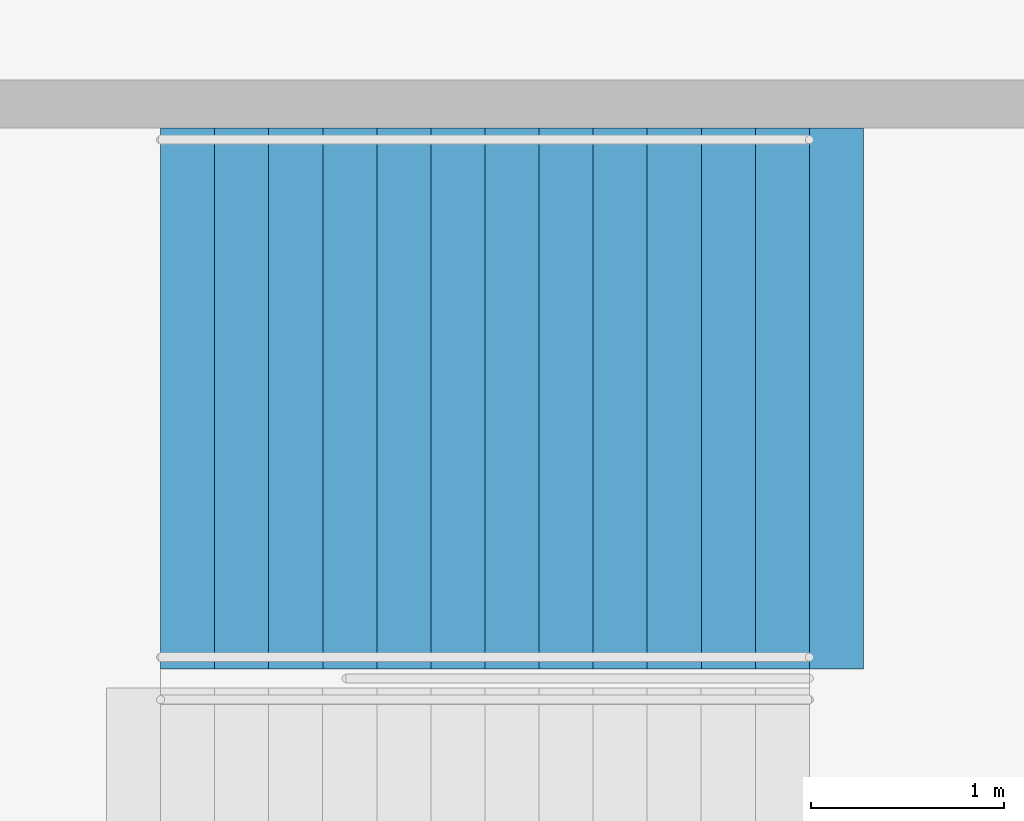
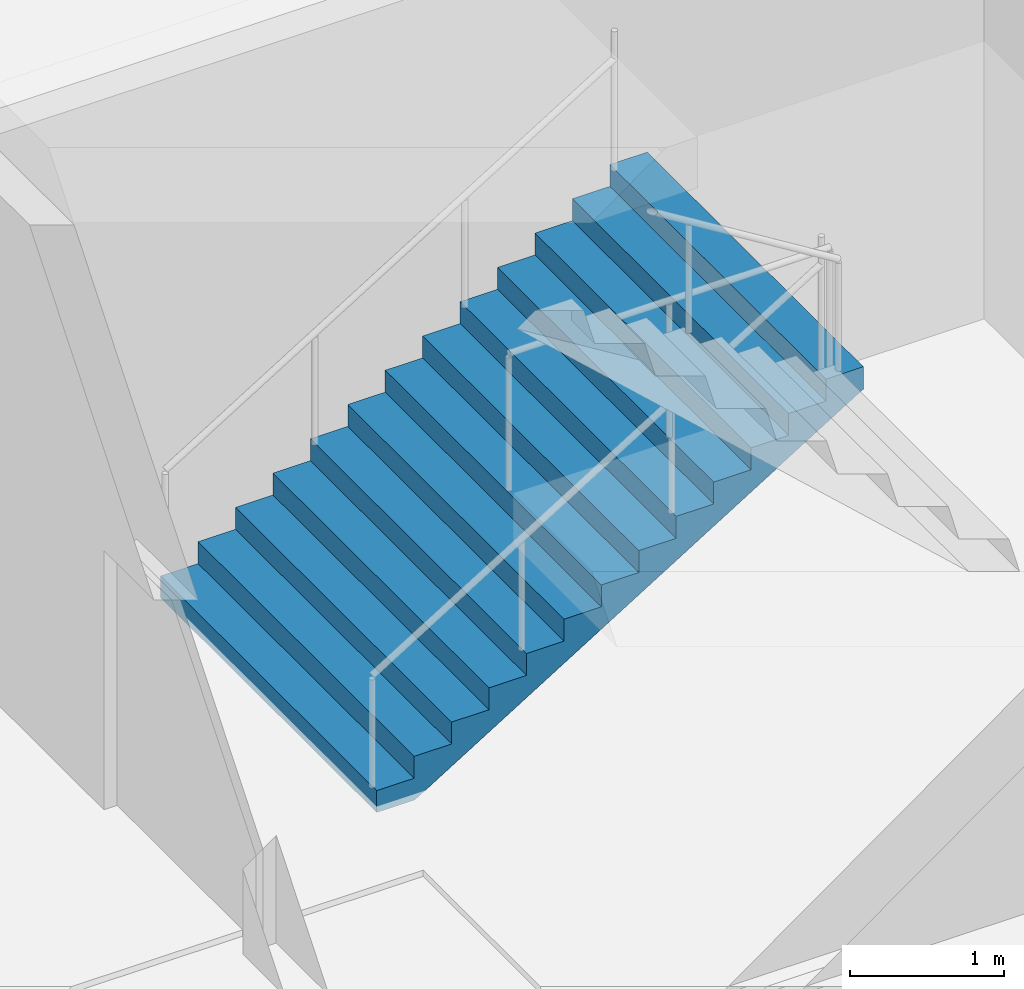
# One storey, part 83 of 115: 1 stair flight, 1 element without a shape of its own.
"""IFC4 building model written with IfcOpenShell, lengths in metres."""

from ifc_helpers import new_model, si_unit, direction, frame, origin, place, context, subcontext, project, spatial, faceted_brep, material, type_object, element, aggregate, save


model = new_model("IFC4")

# Units and contexts
model_context = context("Model", 3, precision=1e-05, world=origin(), true_north=direction((0.0, 1.0)))
body_context = subcontext(model_context, "Body", "Model", "MODEL_VIEW")
ifc_project = project(units=[si_unit("LENGTHUNIT", "METRE"), si_unit("AREAUNIT", "SQUARE_METRE"), si_unit("VOLUMEUNIT", "CUBIC_METRE"), si_unit("PLANEANGLEUNIT", "RADIAN"), si_unit("MASSUNIT", "GRAM", prefix="KILO")], contexts=[model_context])

# Site, building, storey
site_placement = place(None, origin())
site = spatial("IfcSite", under=ifc_project, at=site_placement, CompositionType="ELEMENT")
building_placement = place(site_placement, origin())
building = spatial("IfcBuilding", under=site, at=building_placement, Name="Ogive Plaza Stadium", CompositionType="ELEMENT")
storey_placement = place(building_placement, frame((0.0, 0.0, -4.5)))
storey = spatial("IfcBuildingStorey", under=building, at=storey_placement, Name="B1", CompositionType="ELEMENT", Elevation=-4.5)

# Stair, stair flight
ifc_material_1 = material(Name="Concrete C40/50", Category="concrete")
stair_type = type_object("IfcStairType", Name="Exit stair", PredefinedType="STRAIGHT_RUN_STAIR", material=ifc_material_1)
stair_placement = place(storey_placement, origin())
stair = element("IfcStair", 1, at=stair_placement, inside=storey, type_object=stair_type, Name="Exit stair ST06B B1 to L00", PredefinedType="STRAIGHT_RUN_STAIR")
ifc_material_2 = material(Name="Concrete C40/50", Category="concrete")
stair_flight_type = type_object("IfcStairFlightType", Name="Exit stair flight", PredefinedType="STRAIGHT", material=ifc_material_2)
stair_flight_placement = place(storey_placement, frame((76.35009765625, -18.074951171875, 0.0), z_axis=(0.0, 0.0, 1.0), x_axis=(1.0, 0.0, 0.0)))
stair_flight = element("IfcStairFlight", 2, at=stair_flight_placement, type_object=stair_flight_type, Name="ST06B flight 1", NumberOfRisers=13, NumberOfTreads=12, PredefinedType="STRAIGHT", RiserHeight=0.173076923, TreadLength=0.28, context=body_context, shape_type="Brep", body=[
    faceted_brep([(0.28515625, -1.39990234375, 0.0), (3.639892578125, -1.39990234375, 2.07373046875), (3.639892578125, -1.39990234375, 2.25), (3.360107421875, -1.39990234375, 2.25), (3.360107421875, -1.39990234375, 2.076904296875), (3.080078125, -1.39990234375, 2.076904296875), (3.080078125, -1.39990234375, 1.90380859375), (2.800048828125, -1.39990234375, 1.90380859375), (2.800048828125, -1.39990234375, 1.730712890625), (2.52001953125, -1.39990234375, 1.730712890625), (2.52001953125, -1.39990234375, 1.5576171875), (2.239990234375, -1.39990234375, 1.5576171875), (2.239990234375, -1.39990234375, 1.384521484375), (1.9599609375, -1.39990234375, 1.384521484375), (1.9599609375, -1.39990234375, 1.21142578125), (1.679931640625, -1.39990234375, 1.21142578125), (1.679931640625, -1.39990234375, 1.03857421875), (1.39990234375, -1.39990234375, 1.03857421875), (1.39990234375, -1.39990234375, 0.865478515625), (1.1201171875, -1.39990234375, 0.865478515625), (1.1201171875, -1.39990234375, 0.6923828125), (0.840087890625, -1.39990234375, 0.6923828125), (0.840087890625, -1.39990234375, 0.519287109375), (0.56005859375, -1.39990234375, 0.519287109375), (0.56005859375, -1.39990234375, 0.34619140625), (0.280029296875, -1.39990234375, 0.34619140625), (0.280029296875, -1.39990234375, 0.173095703125), (0.0, -1.39990234375, 0.173095703125), (0.0, -1.39990234375, 0.0), (0.0, 1.39990234375, 0.0), (0.0, 1.39990234375, 0.173095703125), (0.280029296875, 1.39990234375, 0.173095703125), (0.280029296875, 1.39990234375, 0.34619140625), (0.56005859375, 1.39990234375, 0.34619140625), (0.56005859375, 1.39990234375, 0.519287109375), (0.840087890625, 1.39990234375, 0.519287109375), (0.840087890625, 1.39990234375, 0.6923828125), (1.1201171875, 1.39990234375, 0.6923828125), (1.1201171875, 1.39990234375, 0.865478515625), (1.39990234375, 1.39990234375, 0.865478515625), (1.39990234375, 1.39990234375, 1.03857421875), (1.679931640625, 1.39990234375, 1.03857421875), (1.679931640625, 1.39990234375, 1.21142578125), (1.9599609375, 1.39990234375, 1.21142578125), (1.9599609375, 1.39990234375, 1.384521484375), (2.239990234375, 1.39990234375, 1.384521484375), (2.239990234375, 1.39990234375, 1.5576171875), (2.52001953125, 1.39990234375, 1.5576171875), (2.52001953125, 1.39990234375, 1.730712890625), (2.800048828125, 1.39990234375, 1.730712890625), (2.800048828125, 1.39990234375, 1.90380859375), (3.080078125, 1.39990234375, 1.90380859375), (3.080078125, 1.39990234375, 2.076904296875), (3.360107421875, 1.39990234375, 2.076904296875), (3.360107421875, 1.39990234375, 2.25), (3.639892578125, 1.39990234375, 2.25), (3.639892578125, 1.39990234375, 2.07373046875), (0.28515625, 1.39990234375, 0.0), (0.28515625, -1.0888671875, 0.0), (3.639892578125, -1.0888671875, 2.07373046875), (0.28515625, -0.77783203125, 0.0), (3.639892578125, -0.77783203125, 2.07373046875), (0.28515625, -0.466796875, 0.0), (3.639892578125, -0.466796875, 2.07373046875), (0.28515625, -0.155517578125, 0.0), (3.639892578125, -0.155517578125, 2.07373046875), (0.28515625, 0.155517578125, 0.0), (3.639892578125, 0.155517578125, 2.07373046875), (0.28515625, 0.466796875, 0.0), (3.639892578125, 0.466796875, 2.07373046875), (0.28515625, 0.77783203125, 0.0), (3.639892578125, 0.77783203125, 2.07373046875), (0.28515625, 1.0888671875, 0.0), (3.639892578125, 1.0888671875, 2.07373046875), (3.639892578125, -1.0888671875, 2.25), (3.639892578125, -0.77783203125, 2.25), (3.639892578125, -0.466796875, 2.25), (3.639892578125, -0.155517578125, 2.25), (3.639892578125, 0.155517578125, 2.25), (3.639892578125, 0.466796875, 2.25), (3.639892578125, 0.77783203125, 2.25), (3.639892578125, 1.0888671875, 2.25), (3.360107421875, -1.0888671875, 2.25), (3.360107421875, -0.77783203125, 2.25), (3.360107421875, -0.466796875, 2.25), (3.360107421875, -0.155517578125, 2.25), (3.360107421875, 0.155517578125, 2.25), (3.360107421875, 0.466796875, 2.25), (3.360107421875, 0.77783203125, 2.25), (3.360107421875, 1.0888671875, 2.25), (3.360107421875, -1.0888671875, 2.076904296875), (3.360107421875, -0.77783203125, 2.076904296875), (3.360107421875, -0.466796875, 2.076904296875), (3.360107421875, -0.155517578125, 2.076904296875), (3.360107421875, 0.155517578125, 2.076904296875), (3.360107421875, 0.466796875, 2.076904296875), (3.360107421875, 0.77783203125, 2.076904296875), (3.360107421875, 1.0888671875, 2.076904296875), (3.080078125, -1.0888671875, 2.076904296875), (3.080078125, -0.77783203125, 2.076904296875), (3.080078125, -0.466796875, 2.076904296875), (3.080078125, -0.155517578125, 2.076904296875), (3.080078125, 0.155517578125, 2.076904296875), (3.080078125, 0.466796875, 2.076904296875), (3.080078125, 0.77783203125, 2.076904296875), (3.080078125, 1.0888671875, 2.076904296875), (3.080078125, -1.0888671875, 1.90380859375), (3.080078125, -0.77783203125, 1.90380859375), (3.080078125, -0.466796875, 1.90380859375), (3.080078125, -0.155517578125, 1.90380859375), (3.080078125, 0.155517578125, 1.90380859375), (3.080078125, 0.466796875, 1.90380859375), (3.080078125, 0.77783203125, 1.90380859375), (3.080078125, 1.0888671875, 1.90380859375), (2.800048828125, -1.0888671875, 1.90380859375), (2.800048828125, -0.77783203125, 1.90380859375), (2.800048828125, -0.466796875, 1.90380859375), (2.800048828125, -0.155517578125, 1.90380859375), (2.800048828125, 0.155517578125, 1.90380859375), (2.800048828125, 0.466796875, 1.90380859375), (2.800048828125, 0.77783203125, 1.90380859375), (2.800048828125, 1.0888671875, 1.90380859375), (2.800048828125, -1.0888671875, 1.730712890625), (2.800048828125, -0.77783203125, 1.730712890625), (2.800048828125, -0.466796875, 1.730712890625), (2.800048828125, -0.155517578125, 1.730712890625), (2.800048828125, 0.155517578125, 1.730712890625), (2.800048828125, 0.466796875, 1.730712890625), (2.800048828125, 0.77783203125, 1.730712890625), (2.800048828125, 1.0888671875, 1.730712890625), (2.52001953125, -1.0888671875, 1.730712890625), (2.52001953125, -0.77783203125, 1.730712890625), (2.52001953125, -0.466796875, 1.730712890625), (2.52001953125, -0.155517578125, 1.730712890625), (2.52001953125, 0.155517578125, 1.730712890625), (2.52001953125, 0.466796875, 1.730712890625), (2.52001953125, 0.77783203125, 1.730712890625), (2.52001953125, 1.0888671875, 1.730712890625), (2.52001953125, -1.0888671875, 1.5576171875), (2.52001953125, -0.77783203125, 1.5576171875), (2.52001953125, -0.466796875, 1.5576171875), (2.52001953125, -0.155517578125, 1.5576171875), (2.52001953125, 0.155517578125, 1.5576171875), (2.52001953125, 0.466796875, 1.5576171875), (2.52001953125, 0.77783203125, 1.5576171875), (2.52001953125, 1.0888671875, 1.5576171875), (2.239990234375, -1.0888671875, 1.5576171875), (2.239990234375, -0.77783203125, 1.5576171875), (2.239990234375, -0.466796875, 1.5576171875), (2.239990234375, -0.155517578125, 1.5576171875), (2.239990234375, 0.155517578125, 1.5576171875), (2.239990234375, 0.466796875, 1.5576171875), (2.239990234375, 0.77783203125, 1.5576171875), (2.239990234375, 1.0888671875, 1.5576171875), (2.239990234375, -1.0888671875, 1.384521484375), (2.239990234375, -0.77783203125, 1.384521484375), (2.239990234375, -0.466796875, 1.384521484375), (2.239990234375, -0.155517578125, 1.384521484375), (2.239990234375, 0.155517578125, 1.384521484375), (2.239990234375, 0.466796875, 1.384521484375), (2.239990234375, 0.77783203125, 1.384521484375), (2.239990234375, 1.0888671875, 1.384521484375), (1.9599609375, -1.0888671875, 1.384521484375), (1.9599609375, -0.77783203125, 1.384521484375), (1.9599609375, -0.466796875, 1.384521484375), (1.9599609375, -0.155517578125, 1.384521484375), (1.9599609375, 0.155517578125, 1.384521484375), (1.9599609375, 0.466796875, 1.384521484375), (1.9599609375, 0.77783203125, 1.384521484375), (1.9599609375, 1.0888671875, 1.384521484375), (1.9599609375, -1.0888671875, 1.21142578125), (1.9599609375, -0.77783203125, 1.21142578125), (1.9599609375, -0.466796875, 1.21142578125), (1.9599609375, -0.155517578125, 1.21142578125), (1.9599609375, 0.155517578125, 1.21142578125), (1.9599609375, 0.466796875, 1.21142578125), (1.9599609375, 0.77783203125, 1.21142578125), (1.9599609375, 1.0888671875, 1.21142578125), (1.679931640625, -1.0888671875, 1.21142578125), (1.679931640625, -0.77783203125, 1.21142578125), (1.679931640625, -0.466796875, 1.21142578125), (1.679931640625, -0.155517578125, 1.21142578125), (1.679931640625, 0.155517578125, 1.21142578125), (1.679931640625, 0.466796875, 1.21142578125), (1.679931640625, 0.77783203125, 1.21142578125), (1.679931640625, 1.0888671875, 1.21142578125), (1.679931640625, -1.0888671875, 1.03857421875), (1.679931640625, -0.77783203125, 1.03857421875), (1.679931640625, -0.466796875, 1.03857421875), (1.679931640625, -0.155517578125, 1.03857421875), (1.679931640625, 0.155517578125, 1.03857421875), (1.679931640625, 0.466796875, 1.03857421875), (1.679931640625, 0.77783203125, 1.03857421875), (1.679931640625, 1.0888671875, 1.03857421875), (1.39990234375, -1.0888671875, 1.03857421875), (1.39990234375, -0.77783203125, 1.03857421875), (1.39990234375, -0.466796875, 1.03857421875), (1.39990234375, -0.155517578125, 1.03857421875), (1.39990234375, 0.155517578125, 1.03857421875), (1.39990234375, 0.466796875, 1.03857421875), (1.39990234375, 0.77783203125, 1.03857421875), (1.39990234375, 1.0888671875, 1.03857421875), (1.39990234375, -1.0888671875, 0.865478515625), (1.39990234375, -0.77783203125, 0.865478515625), (1.39990234375, -0.466796875, 0.865478515625), (1.39990234375, -0.155517578125, 0.865478515625), (1.39990234375, 0.155517578125, 0.865478515625), (1.39990234375, 0.466796875, 0.865478515625), (1.39990234375, 0.77783203125, 0.865478515625), (1.39990234375, 1.0888671875, 0.865478515625), (1.1201171875, -1.0888671875, 0.865478515625), (1.1201171875, -0.77783203125, 0.865478515625), (1.1201171875, -0.466796875, 0.865478515625), (1.1201171875, -0.155517578125, 0.865478515625), (1.1201171875, 0.155517578125, 0.865478515625), (1.1201171875, 0.466796875, 0.865478515625), (1.1201171875, 0.77783203125, 0.865478515625), (1.1201171875, 1.0888671875, 0.865478515625), (1.1201171875, -1.0888671875, 0.6923828125), (1.1201171875, -0.77783203125, 0.6923828125), (1.1201171875, -0.466796875, 0.6923828125), (1.1201171875, -0.155517578125, 0.6923828125), (1.1201171875, 0.155517578125, 0.6923828125), (1.1201171875, 0.466796875, 0.6923828125), (1.1201171875, 0.77783203125, 0.6923828125), (1.1201171875, 1.0888671875, 0.6923828125), (0.840087890625, -1.0888671875, 0.6923828125), (0.840087890625, -0.77783203125, 0.6923828125), (0.840087890625, -0.466796875, 0.6923828125), (0.840087890625, -0.155517578125, 0.6923828125), (0.840087890625, 0.155517578125, 0.6923828125), (0.840087890625, 0.466796875, 0.6923828125), (0.840087890625, 0.77783203125, 0.6923828125), (0.840087890625, 1.0888671875, 0.6923828125), (0.840087890625, -1.0888671875, 0.519287109375), (0.840087890625, -0.77783203125, 0.519287109375), (0.840087890625, -0.466796875, 0.519287109375), (0.840087890625, -0.155517578125, 0.519287109375), (0.840087890625, 0.155517578125, 0.519287109375), (0.840087890625, 0.466796875, 0.519287109375), (0.840087890625, 0.77783203125, 0.519287109375), (0.840087890625, 1.0888671875, 0.519287109375), (0.56005859375, -1.0888671875, 0.519287109375), (0.56005859375, -0.77783203125, 0.519287109375), (0.56005859375, -0.466796875, 0.519287109375), (0.56005859375, -0.155517578125, 0.519287109375), (0.56005859375, 0.155517578125, 0.519287109375), (0.56005859375, 0.466796875, 0.519287109375), (0.56005859375, 0.77783203125, 0.519287109375), (0.56005859375, 1.0888671875, 0.519287109375), (0.56005859375, -1.0888671875, 0.34619140625), (0.56005859375, -0.77783203125, 0.34619140625), (0.56005859375, -0.466796875, 0.34619140625), (0.56005859375, -0.155517578125, 0.34619140625), (0.56005859375, 0.155517578125, 0.34619140625), (0.56005859375, 0.466796875, 0.34619140625), (0.56005859375, 0.77783203125, 0.34619140625), (0.56005859375, 1.0888671875, 0.34619140625), (0.280029296875, -1.0888671875, 0.34619140625), (0.280029296875, -0.77783203125, 0.34619140625), (0.280029296875, -0.466796875, 0.34619140625), (0.280029296875, -0.155517578125, 0.34619140625), (0.280029296875, 0.155517578125, 0.34619140625), (0.280029296875, 0.466796875, 0.34619140625), (0.280029296875, 0.77783203125, 0.34619140625), (0.280029296875, 1.0888671875, 0.34619140625), (0.280029296875, -1.0888671875, 0.173095703125), (0.280029296875, -0.77783203125, 0.173095703125), (0.280029296875, -0.466796875, 0.173095703125), (0.280029296875, -0.155517578125, 0.173095703125), (0.280029296875, 0.155517578125, 0.173095703125), (0.280029296875, 0.466796875, 0.173095703125), (0.280029296875, 0.77783203125, 0.173095703125), (0.280029296875, 1.0888671875, 0.173095703125), (0.0, -1.0888671875, 0.173095703125), (0.0, -0.77783203125, 0.173095703125), (0.0, -0.466796875, 0.173095703125), (0.0, -0.155517578125, 0.173095703125), (0.0, 0.155517578125, 0.173095703125), (0.0, 0.466796875, 0.173095703125), (0.0, 0.77783203125, 0.173095703125), (0.0, 1.0888671875, 0.173095703125), (0.0, -1.0888671875, 0.0), (0.0, -0.77783203125, 0.0), (0.0, -0.466796875, 0.0), (0.0, -0.155517578125, 0.0), (0.0, 0.155517578125, 0.0), (0.0, 0.466796875, 0.0), (0.0, 0.77783203125, 0.0), (0.0, 1.0888671875, 0.0)], [[[0, 1, 2, 3, 4, 5, 6, 7, 8, 9, 10, 11, 12, 13, 14, 15, 16, 17, 18, 19, 20, 21, 22, 23, 24, 25, 26, 27, 28]], [[29, 30, 31, 32, 33, 34, 35, 36, 37, 38, 39, 40, 41, 42, 43, 44, 45, 46, 47, 48, 49, 50, 51, 52, 53, 54, 55, 56, 57]], [[0, 58, 59, 1]], [[58, 60, 61, 59]], [[60, 62, 63, 61]], [[62, 64, 65, 63]], [[64, 66, 67, 65]], [[66, 68, 69, 67]], [[68, 70, 71, 69]], [[70, 72, 73, 71]], [[72, 57, 56, 73]], [[1, 59, 74, 2]], [[59, 61, 75, 74]], [[61, 63, 76, 75]], [[63, 65, 77, 76]], [[65, 67, 78, 77]], [[67, 69, 79, 78]], [[69, 71, 80, 79]], [[71, 73, 81, 80]], [[73, 56, 55, 81]], [[2, 74, 82, 3]], [[74, 75, 83, 82]], [[75, 76, 84, 83]], [[76, 77, 85, 84]], [[77, 78, 86, 85]], [[78, 79, 87, 86]], [[79, 80, 88, 87]], [[80, 81, 89, 88]], [[81, 55, 54, 89]], [[3, 82, 90, 4]], [[82, 83, 91, 90]], [[83, 84, 92, 91]], [[84, 85, 93, 92]], [[85, 86, 94, 93]], [[86, 87, 95, 94]], [[87, 88, 96, 95]], [[88, 89, 97, 96]], [[89, 54, 53, 97]], [[4, 90, 98, 5]], [[90, 91, 99, 98]], [[91, 92, 100, 99]], [[92, 93, 101, 100]], [[93, 94, 102, 101]], [[94, 95, 103, 102]], [[95, 96, 104, 103]], [[96, 97, 105, 104]], [[97, 53, 52, 105]], [[5, 98, 106, 6]], [[98, 99, 107, 106]], [[99, 100, 108, 107]], [[100, 101, 109, 108]], [[101, 102, 110, 109]], [[102, 103, 111, 110]], [[103, 104, 112, 111]], [[104, 105, 113, 112]], [[105, 52, 51, 113]], [[6, 106, 114, 7]], [[106, 107, 115, 114]], [[107, 108, 116, 115]], [[108, 109, 117, 116]], [[109, 110, 118, 117]], [[110, 111, 119, 118]], [[111, 112, 120, 119]], [[112, 113, 121, 120]], [[113, 51, 50, 121]], [[7, 114, 122, 8]], [[114, 115, 123, 122]], [[115, 116, 124, 123]], [[116, 117, 125, 124]], [[117, 118, 126, 125]], [[118, 119, 127, 126]], [[119, 120, 128, 127]], [[120, 121, 129, 128]], [[121, 50, 49, 129]], [[8, 122, 130, 9]], [[122, 123, 131, 130]], [[123, 124, 132, 131]], [[124, 125, 133, 132]], [[125, 126, 134, 133]], [[126, 127, 135, 134]], [[127, 128, 136, 135]], [[128, 129, 137, 136]], [[129, 49, 48, 137]], [[9, 130, 138, 10]], [[130, 131, 139, 138]], [[131, 132, 140, 139]], [[132, 133, 141, 140]], [[133, 134, 142, 141]], [[134, 135, 143, 142]], [[135, 136, 144, 143]], [[136, 137, 145, 144]], [[137, 48, 47, 145]], [[10, 138, 146, 11]], [[138, 139, 147, 146]], [[139, 140, 148, 147]], [[140, 141, 149, 148]], [[141, 142, 150, 149]], [[142, 143, 151, 150]], [[143, 144, 152, 151]], [[144, 145, 153, 152]], [[145, 47, 46, 153]], [[11, 146, 154, 12]], [[146, 147, 155, 154]], [[147, 148, 156, 155]], [[148, 149, 157, 156]], [[149, 150, 158, 157]], [[150, 151, 159, 158]], [[151, 152, 160, 159]], [[152, 153, 161, 160]], [[153, 46, 45, 161]], [[12, 154, 162, 13]], [[154, 155, 163, 162]], [[155, 156, 164, 163]], [[156, 157, 165, 164]], [[157, 158, 166, 165]], [[158, 159, 167, 166]], [[159, 160, 168, 167]], [[160, 161, 169, 168]], [[161, 45, 44, 169]], [[13, 162, 170, 14]], [[162, 163, 171, 170]], [[163, 164, 172, 171]], [[164, 165, 173, 172]], [[165, 166, 174, 173]], [[166, 167, 175, 174]], [[167, 168, 176, 175]], [[168, 169, 177, 176]], [[169, 44, 43, 177]], [[14, 170, 178, 15]], [[170, 171, 179, 178]], [[171, 172, 180, 179]], [[172, 173, 181, 180]], [[173, 174, 182, 181]], [[174, 175, 183, 182]], [[175, 176, 184, 183]], [[176, 177, 185, 184]], [[177, 43, 42, 185]], [[15, 178, 186, 16]], [[178, 179, 187, 186]], [[179, 180, 188, 187]], [[180, 181, 189, 188]], [[181, 182, 190, 189]], [[182, 183, 191, 190]], [[183, 184, 192, 191]], [[184, 185, 193, 192]], [[185, 42, 41, 193]], [[16, 186, 194, 17]], [[186, 187, 195, 194]], [[187, 188, 196, 195]], [[188, 189, 197, 196]], [[189, 190, 198, 197]], [[190, 191, 199, 198]], [[191, 192, 200, 199]], [[192, 193, 201, 200]], [[193, 41, 40, 201]], [[17, 194, 202, 18]], [[194, 195, 203, 202]], [[195, 196, 204, 203]], [[196, 197, 205, 204]], [[197, 198, 206, 205]], [[198, 199, 207, 206]], [[199, 200, 208, 207]], [[200, 201, 209, 208]], [[201, 40, 39, 209]], [[18, 202, 210, 19]], [[202, 203, 211, 210]], [[203, 204, 212, 211]], [[204, 205, 213, 212]], [[205, 206, 214, 213]], [[206, 207, 215, 214]], [[207, 208, 216, 215]], [[208, 209, 217, 216]], [[209, 39, 38, 217]], [[19, 210, 218, 20]], [[210, 211, 219, 218]], [[211, 212, 220, 219]], [[212, 213, 221, 220]], [[213, 214, 222, 221]], [[214, 215, 223, 222]], [[215, 216, 224, 223]], [[216, 217, 225, 224]], [[217, 38, 37, 225]], [[20, 218, 226, 21]], [[218, 219, 227, 226]], [[219, 220, 228, 227]], [[220, 221, 229, 228]], [[221, 222, 230, 229]], [[222, 223, 231, 230]], [[223, 224, 232, 231]], [[224, 225, 233, 232]], [[225, 37, 36, 233]], [[21, 226, 234, 22]], [[226, 227, 235, 234]], [[227, 228, 236, 235]], [[228, 229, 237, 236]], [[229, 230, 238, 237]], [[230, 231, 239, 238]], [[231, 232, 240, 239]], [[232, 233, 241, 240]], [[233, 36, 35, 241]], [[22, 234, 242, 23]], [[234, 235, 243, 242]], [[235, 236, 244, 243]], [[236, 237, 245, 244]], [[237, 238, 246, 245]], [[238, 239, 247, 246]], [[239, 240, 248, 247]], [[240, 241, 249, 248]], [[241, 35, 34, 249]], [[23, 242, 250, 24]], [[242, 243, 251, 250]], [[243, 244, 252, 251]], [[244, 245, 253, 252]], [[245, 246, 254, 253]], [[246, 247, 255, 254]], [[247, 248, 256, 255]], [[248, 249, 257, 256]], [[249, 34, 33, 257]], [[24, 250, 258, 25]], [[250, 251, 259, 258]], [[251, 252, 260, 259]], [[252, 253, 261, 260]], [[253, 254, 262, 261]], [[254, 255, 263, 262]], [[255, 256, 264, 263]], [[256, 257, 265, 264]], [[257, 33, 32, 265]], [[25, 258, 266, 26]], [[258, 259, 267, 266]], [[259, 260, 268, 267]], [[260, 261, 269, 268]], [[261, 262, 270, 269]], [[262, 263, 271, 270]], [[263, 264, 272, 271]], [[264, 265, 273, 272]], [[265, 32, 31, 273]], [[26, 266, 274, 27]], [[266, 267, 275, 274]], [[267, 268, 276, 275]], [[268, 269, 277, 276]], [[269, 270, 278, 277]], [[270, 271, 279, 278]], [[271, 272, 280, 279]], [[272, 273, 281, 280]], [[273, 31, 30, 281]], [[27, 274, 282, 28]], [[274, 275, 283, 282]], [[275, 276, 284, 283]], [[276, 277, 285, 284]], [[277, 278, 286, 285]], [[278, 279, 287, 286]], [[279, 280, 288, 287]], [[280, 281, 289, 288]], [[281, 30, 29, 289]], [[28, 282, 58, 0]], [[282, 283, 60, 58]], [[283, 284, 62, 60]], [[284, 285, 64, 62]], [[285, 286, 66, 64]], [[286, 287, 68, 66]], [[287, 288, 70, 68]], [[288, 289, 72, 70]], [[289, 29, 57, 72]]]),
])
aggregate(stair, [stair_flight])

save(model, "model.ifc")
